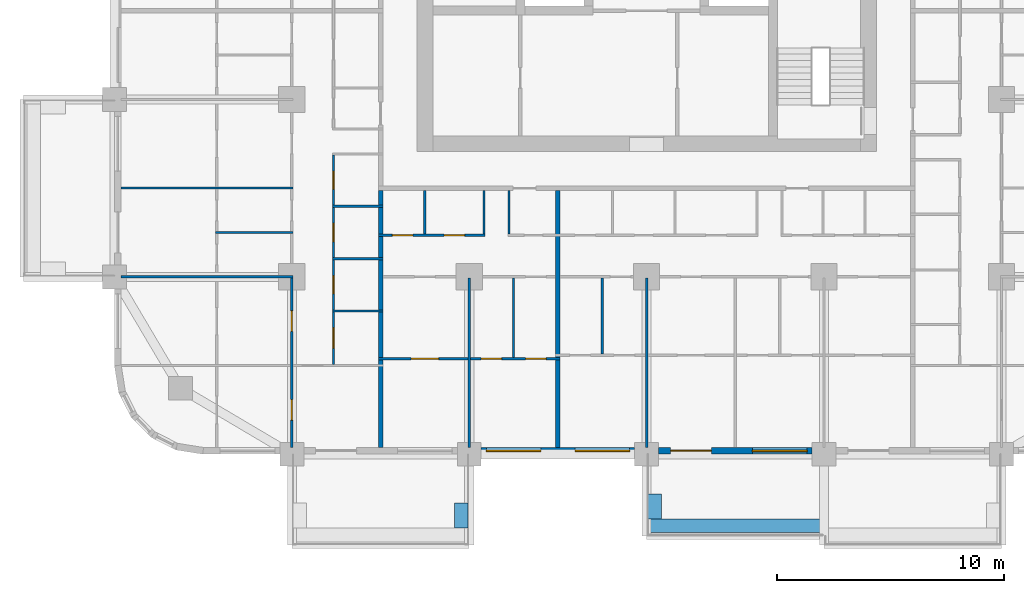
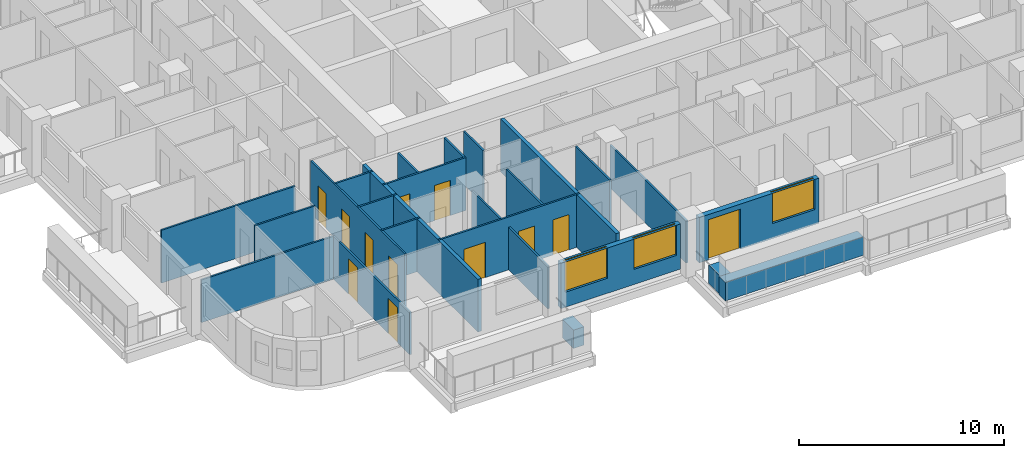
# One storey, part 3 of 18: 24 walls, 12 doors, 3 windows, 15 openings.
"""IFC4 building model written with IfcOpenShell, lengths in metres."""

from ifc_helpers import new_model, si_unit, direction, frame, frame_2d, origin, place, context, subcontext, project, spatial, rectangle, extrude, material, layer, layer_set, type_object, element, fill, save


model = new_model("IFC4")

# Units and contexts
model_context = context("Model", 3, precision=1e-05, world=origin(), true_north=direction((0.0, 1.0)))
body_context = subcontext(model_context, "Body", "Model", "MODEL_VIEW")
ifc_project = project(units=[si_unit("LENGTHUNIT", "METRE"), si_unit("AREAUNIT", "SQUARE_METRE"), si_unit("VOLUMEUNIT", "CUBIC_METRE"), si_unit("PLANEANGLEUNIT", "RADIAN"), si_unit("MASSUNIT", "GRAM", prefix="KILO")], contexts=[model_context])

# Site, building, storey
site_placement = place(None, origin())
site = spatial("IfcSite", under=ifc_project, at=site_placement, CompositionType="ELEMENT")
building_placement = place(site_placement, origin())
building = spatial("IfcBuilding", under=site, at=building_placement, Name="Ludao Terraces", CompositionType="ELEMENT")
storey_placement = place(building_placement, frame((0.0, 0.0, 33.10009765625)))
storey = spatial("IfcBuildingStorey", under=building, at=storey_placement, Name="L08", CompositionType="ELEMENT", Elevation=33.10009765625)

# Walls
ifc_material_1 = material(Name="Concrete C40", Category="concrete")
ifc_layer_1 = layer(ifc_material_1, 0.60009765625)
ifc_layer_set_1 = layer_set([ifc_layer_1], Name="ENV Planter trough 600")
wall_type_1 = type_object("IfcWallType", Name="ENV Planter trough 600", PredefinedType="USERDEFINED", material=ifc_layer_set_1)
wall_1_placement = place(storey_placement, frame((76.85009765625, 38.35009765625, 0.0), z_axis=(0.0, 0.0, 1.0), x_axis=(0.0, 1.0, 0.0)))
element("IfcWall", 1, at=wall_1_placement, inside=storey, type_object=wall_type_1, Name="PL-L08-S1-SB", ObjectType="PLANTER", PredefinedType="USERDEFINED", context=body_context, shape_type="SweptSolid", body=[
    extrude(rectangle(XDim=1.099853515625, YDim=0.60009765625, at=frame_2d((0.5498046875, 0.0))), origin(), (0.0, 0.0, 1.0), 1.099853515625),
])
wall_2_placement = place(storey_placement, frame((85.0, 38.449951171875, 0.0), z_axis=(0.0, 0.0, 1.0), x_axis=(1.0, 0.0, 0.0)))
element("IfcWall", 2, at=wall_2_placement, inside=storey, type_object=wall_type_1, Name="PL-L08-S3", ObjectType="PLANTER", PredefinedType="USERDEFINED", context=body_context, shape_type="SweptSolid", body=[
    extrude(rectangle(XDim=7.800048828125, YDim=0.60009765625, at=frame_2d((3.89990234375, 0.0))), origin(), (0.0, 0.0, 1.0), 1.099853515625),
])
wall_3_placement = place(storey_placement, frame((85.35009765625, 38.75, 0.0), z_axis=(0.0, 0.0, 1.0), x_axis=(0.0, 1.0, 0.0)))
element("IfcWall", 3, at=wall_3_placement, inside=storey, type_object=wall_type_1, Name="PL-L08-S3-SA", ObjectType="PLANTER", PredefinedType="USERDEFINED", context=body_context, shape_type="SweptSolid", body=[
    extrude(rectangle(XDim=1.10009765625, YDim=0.60009765625, at=frame_2d((0.550048828125, 0.0))), origin(), (0.0, 0.0, 1.0), 1.099853515625),
])

# Wall, openings, windows
ifc_material_2 = material(Name="Granite cladding", Category="masonry")
ifc_layer_2 = layer(ifc_material_2, 0.0400390625, Category="stone")
ifc_material_3 = material(Name="Mineral wool")
ifc_layer_3 = layer(ifc_material_3, 0.06005859375)
ifc_layer_4 = layer(ifc_material_1, 0.199951171875, Category="concrete")
ifc_layer_set_2 = layer_set([ifc_layer_2, ifc_layer_3, ifc_layer_4], Name="ENV Stone-clad wall 300")
wall_type_2 = type_object("IfcWallType", Name="ENV Stone-clad wall 300", PredefinedType="SOLIDWALL", material=ifc_layer_set_2)
wall_4_placement = place(storey_placement, frame((77.72509765625, 41.75, 0.0), z_axis=(0.0, 0.0, 1.0), x_axis=(1.0, 0.0, 0.0)))
wall_4 = element("IfcWall", 4, at=wall_4_placement, inside=storey, type_object=wall_type_2, Name="EW-L08-S3", PredefinedType="SOLIDWALL", context=body_context, shape_type="SweptSolid", body=[
    extrude(rectangle(XDim=6.75, YDim=0.300048828125, at=frame_2d((3.375, 0.0))), origin(), (0.0, 0.0, 1.0), 2.699951171875),
])
opening_1_placement = place(wall_4_placement, frame((0.22509765625, 0.0, 0.89990234375)))
opening_1 = element("IfcOpeningElement", 5, at=opening_1_placement, cuts=wall_4, Name="Opening W1", PredefinedType="OPENING", context=body_context, shape_type="SweptSolid", body=[
    extrude(rectangle(XDim=2.39990234375, YDim=1.800048828125, at=frame_2d((1.199951171875, 0.89990234375))), frame((0.0, 0.16015625, 0.0), z_axis=(0.0, -1.0, 0.0), x_axis=(1.0, 0.0, 0.0)), (0.0, 0.0, 1.0), 0.320068359375),
])
opening_2_placement = place(wall_4_placement, frame((4.125, 0.0, 0.89990234375)))
opening_2 = element("IfcOpeningElement", 6, at=opening_2_placement, cuts=wall_4, Name="Opening W1", PredefinedType="OPENING", context=body_context, shape_type="SweptSolid", body=[
    extrude(rectangle(XDim=2.39990234375, YDim=1.800048828125, at=frame_2d((1.199951171875, 0.89990234375))), frame((0.0, 0.16015625, 0.0), z_axis=(0.0, -1.0, 0.0), x_axis=(1.0, 0.0, 0.0)), (0.0, 0.0, 1.0), 0.320068359375),
])
ifc_material_4 = material(Name="Clear glass in aluminium frame", Category="aluminium")
ifc_layer_5 = layer(ifc_material_4, 0.06005859375)
ifc_layer_set_3 = layer_set([ifc_layer_5], Name="ENV Window W1 2400x1800")
window_type = type_object("IfcWindowType", Name="ENV Window W1 2400x1800", PartitioningType="DOUBLE_PANEL_VERTICAL", PredefinedType="WINDOW", material=ifc_layer_set_3)
window_1_placement = place(opening_1_placement, origin())
window_1 = element("IfcWindow", 7, at=window_1_placement, inside=storey, type_object=window_type, Name="W-L08-S3-1", OverallHeight=1.800048828125, OverallWidth=2.39990234375, PartitioningType="DOUBLE_PANEL_VERTICAL", PredefinedType="WINDOW", context=body_context, shape_type="SweptSolid", body=[
    extrude(rectangle(XDim=2.39990234375, YDim=1.800048828125, at=frame_2d((1.199951171875, 0.89990234375))), frame((0.0, 0.030029296875, 0.0), z_axis=(0.0, -1.0, 0.0), x_axis=(1.0, 0.0, 0.0)), (0.0, 0.0, 1.0), 0.06005859375),
])
fill(opening_1, window_1)
window_2_placement = place(opening_2_placement, origin())
window_2 = element("IfcWindow", 8, at=window_2_placement, inside=storey, type_object=window_type, Name="W-L08-S3-2", OverallHeight=1.800048828125, OverallWidth=2.39990234375, PartitioningType="DOUBLE_PANEL_VERTICAL", PredefinedType="WINDOW", context=body_context, shape_type="SweptSolid", body=[
    extrude(rectangle(XDim=2.39990234375, YDim=1.800048828125, at=frame_2d((1.199951171875, 0.89990234375))), frame((0.0, 0.030029296875, 0.0), z_axis=(0.0, -1.0, 0.0), x_axis=(1.0, 0.0, 0.0)), (0.0, 0.0, 1.0), 0.06005859375),
])
fill(opening_2, window_2)

# Wall, openings, door, window
wall_5_placement = place(storey_placement, frame((85.52490234375, 41.75, 0.0), z_axis=(0.0, 0.0, 1.0), x_axis=(1.0, 0.0, 0.0)))
wall_5 = element("IfcWall", 9, at=wall_5_placement, inside=storey, type_object=wall_type_2, Name="EW-L08-S4", PredefinedType="SOLIDWALL", context=body_context, shape_type="SweptSolid", body=[
    extrude(rectangle(XDim=6.75, YDim=0.300048828125, at=frame_2d((3.375, 0.0))), origin(), (0.0, 0.0, 1.0), 2.699951171875),
])
opening_3_placement = place(wall_5_placement, frame((0.52490234375, 0.0, 0.0)))
opening_3 = element("IfcOpeningElement", 10, at=opening_3_placement, cuts=wall_5, Name="Opening BD", PredefinedType="OPENING", context=body_context, shape_type="SweptSolid", body=[
    extrude(rectangle(XDim=1.800048828125, YDim=2.39990234375, at=frame_2d((0.89990234375, 1.199951171875))), frame((0.0, 0.16015625, 0.0), z_axis=(0.0, -1.0, 0.0), x_axis=(1.0, 0.0, 0.0)), (0.0, 0.0, 1.0), 0.320068359375),
])
opening_4_placement = place(wall_5_placement, frame((4.125, 0.0, 0.89990234375)))
opening_4 = element("IfcOpeningElement", 11, at=opening_4_placement, cuts=wall_5, Name="Opening W1", PredefinedType="OPENING", context=body_context, shape_type="SweptSolid", body=[
    extrude(rectangle(XDim=2.39990234375, YDim=1.800048828125, at=frame_2d((1.199951171875, 0.89990234375))), frame((0.0, 0.16015625, 0.0), z_axis=(0.0, -1.0, 0.0), x_axis=(1.0, 0.0, 0.0)), (0.0, 0.0, 1.0), 0.320068359375),
])
ifc_material_5 = material(Name="Aluminium glazed door", Category="aluminium")
ifc_layer_6 = layer(ifc_material_5, 0.06005859375)
ifc_layer_set_4 = layer_set([ifc_layer_6], Name="ENV Balcony door BD 1800x2400")
door_type_1 = type_object("IfcDoorType", Name="ENV Balcony door BD 1800x2400", OperationType="DOUBLE_DOOR_SINGLE_SWING", PredefinedType="DOOR", material=ifc_layer_set_4)
door_1_placement = place(opening_3_placement, origin())
door_1 = element("IfcDoor", 12, at=door_1_placement, inside=storey, type_object=door_type_1, Name="BD-L08-S4-1", OperationType="DOUBLE_DOOR_SINGLE_SWING", OverallHeight=2.39990234375, OverallWidth=1.800048828125, PredefinedType="DOOR", context=body_context, shape_type="SweptSolid", body=[
    extrude(rectangle(XDim=1.800048828125, YDim=2.39990234375, at=frame_2d((0.89990234375, 1.199951171875))), frame((0.0, 0.02490234375, 0.0), z_axis=(0.0, -1.0, 0.0), x_axis=(1.0, 0.0, 0.0)), (0.0, 0.0, 1.0), 0.050048828125),
])
fill(opening_3, door_1)
window_3_placement = place(opening_4_placement, origin())
window_3 = element("IfcWindow", 13, at=window_3_placement, inside=storey, type_object=window_type, Name="W-L08-S4-2", OverallHeight=1.800048828125, OverallWidth=2.39990234375, PartitioningType="DOUBLE_PANEL_VERTICAL", PredefinedType="WINDOW", context=body_context, shape_type="SweptSolid", body=[
    extrude(rectangle(XDim=2.39990234375, YDim=1.800048828125, at=frame_2d((1.199951171875, 0.89990234375))), frame((0.0, 0.030029296875, 0.0), z_axis=(0.0, -1.0, 0.0), x_axis=(1.0, 0.0, 0.0)), (0.0, 0.0, 1.0), 0.06005859375),
])
fill(opening_4, window_3)

# Wall, openings, doors
ifc_material_6 = material(Name="Gypsum plasterboard", Category="gypsum")
ifc_layer_7 = layer(ifc_material_6, 0.012451171875, Category="gypsum")
ifc_layer_8 = layer(ifc_material_3, 0.06005859375, Name="insulation")
ifc_material_7 = material(Name="Steel Q235", Category="steel")
ifc_layer_9 = layer(ifc_material_7, 0.014892578125, Name="stud")
ifc_layer_10 = layer(ifc_material_6, 0.012451171875, Category="gypsum")
ifc_layer_set_5 = layer_set([ifc_layer_7, ifc_layer_8, ifc_layer_9, ifc_layer_10], Name="INT Partition 100")
wall_type_3 = type_object("IfcWallType", Name="INT Partition 100", PredefinedType="PARTITIONING", material=ifc_layer_set_5)
wall_6_placement = place(storey_placement, frame((73.2001953125, 45.800048828125, 0.0), z_axis=(0.0, 0.0, 1.0), x_axis=(1.0, 0.0, 0.0)))
wall_6 = element("IfcWall", 14, at=wall_6_placement, inside=storey, type_object=wall_type_3, Name="PW-L08-PW002", PredefinedType="PARTITIONING", context=body_context, shape_type="SweptSolid", body=[
    extrude(rectangle(XDim=8.0, YDim=0.10009765625, at=frame_2d((4.0, 0.0))), origin(), (0.0, 0.0, 1.0), 3.14990234375),
])
opening_5_placement = place(wall_6_placement, frame((1.449951171875, 0.0, 0.0)))
opening_5 = element("IfcOpeningElement", 15, at=opening_5_placement, cuts=wall_6, Name="Opening R02-007", PredefinedType="OPENING", context=body_context, shape_type="SweptSolid", body=[
    extrude(rectangle(XDim=1.199951171875, YDim=2.10009765625, at=frame_2d((0.60009765625, 1.050048828125))), frame((0.0, 0.06005859375, 0.0), z_axis=(0.0, -1.0, 0.0), x_axis=(1.0, 0.0, 0.0)), (0.0, 0.0, 1.0), 0.1201171875),
])
opening_6_placement = place(wall_6_placement, frame((4.52490234375, 0.0, 0.0)))
opening_6 = element("IfcOpeningElement", 16, at=opening_6_placement, cuts=wall_6, Name="Opening R02-008", PredefinedType="OPENING", context=body_context, shape_type="SweptSolid", body=[
    extrude(rectangle(XDim=0.89990234375, YDim=2.10009765625, at=frame_2d((0.449951171875, 1.050048828125))), frame((0.0, 0.06005859375, 0.0), z_axis=(0.0, -1.0, 0.0), x_axis=(1.0, 0.0, 0.0)), (0.0, 0.0, 1.0), 0.1201171875),
])
opening_7_placement = place(wall_6_placement, frame((6.474853515625, 0.0, 0.0)))
opening_7 = element("IfcOpeningElement", 17, at=opening_7_placement, cuts=wall_6, Name="Opening R02-009", PredefinedType="OPENING", context=body_context, shape_type="SweptSolid", body=[
    extrude(rectangle(XDim=0.89990234375, YDim=2.10009765625, at=frame_2d((0.449951171875, 1.050048828125))), frame((0.0, 0.06005859375, 0.0), z_axis=(0.0, -1.0, 0.0), x_axis=(1.0, 0.0, 0.0)), (0.0, 0.0, 1.0), 0.1201171875),
])
ifc_material_8 = material(Name="Timber door leaf", Category="wood")
door_type_2 = type_object("IfcDoorType", Name="INT Bathroom door 900", OperationType="SINGLE_SWING_LEFT", PredefinedType="DOOR", material=ifc_material_8)
door_2_placement = place(opening_6_placement, origin())
door_2 = element("IfcDoor", 18, at=door_2_placement, inside=storey, type_object=door_type_2, Name="DOOR 008", OperationType="SINGLE_SWING_LEFT", OverallHeight=2.10009765625, OverallWidth=0.89990234375, PredefinedType="DOOR", context=body_context, shape_type="SweptSolid", body=[
    extrude(rectangle(XDim=0.89990234375, YDim=2.10009765625, at=frame_2d((0.449951171875, 1.050048828125))), frame((0.0, 0.02490234375, 0.0), z_axis=(0.0, -1.0, 0.0), x_axis=(1.0, 0.0, 0.0)), (0.0, 0.0, 1.0), 0.050048828125),
])
fill(opening_6, door_2)
door_type_3 = type_object("IfcDoorType", Name="INT Double door 1200", OperationType="DOUBLE_DOOR_SINGLE_SWING", PredefinedType="DOOR", material=ifc_material_8)
door_3_placement = place(opening_5_placement, origin())
door_3 = element("IfcDoor", 19, at=door_3_placement, inside=storey, type_object=door_type_3, Name="DOOR 007", OperationType="DOUBLE_DOOR_SINGLE_SWING", OverallHeight=2.10009765625, OverallWidth=1.199951171875, PredefinedType="DOOR", context=body_context, shape_type="SweptSolid", body=[
    extrude(rectangle(XDim=1.199951171875, YDim=2.10009765625, at=frame_2d((0.60009765625, 1.050048828125))), frame((0.0, 0.02490234375, 0.0), z_axis=(0.0, -1.0, 0.0), x_axis=(1.0, 0.0, 0.0)), (0.0, 0.0, 1.0), 0.050048828125),
])
fill(opening_5, door_3)
door_type_4 = type_object("IfcDoorType", Name="INT Room door 900", OperationType="SINGLE_SWING_LEFT", PredefinedType="DOOR", material=ifc_material_8)
door_4_placement = place(opening_7_placement, origin())
door_4 = element("IfcDoor", 20, at=door_4_placement, inside=storey, type_object=door_type_4, Name="DOOR 009", OperationType="SINGLE_SWING_LEFT", OverallHeight=2.10009765625, OverallWidth=0.89990234375, PredefinedType="DOOR", context=body_context, shape_type="SweptSolid", body=[
    extrude(rectangle(XDim=0.89990234375, YDim=2.10009765625, at=frame_2d((0.449951171875, 1.050048828125))), frame((0.0, 0.02490234375, 0.0), z_axis=(0.0, -1.0, 0.0), x_axis=(1.0, 0.0, 0.0)), (0.0, 0.0, 1.0), 0.050048828125),
])
fill(opening_7, door_4)

# Walls
wall_7_placement = place(storey_placement, frame((71.18017578125, 47.89990234375, 0.0), z_axis=(0.0, 0.0, 1.0), x_axis=(1.0, 0.0, 0.0)))
element("IfcWall", 21, at=wall_7_placement, inside=storey, type_object=wall_type_3, Name="PW-L08-PW005", PredefinedType="PARTITIONING", context=body_context, shape_type="SweptSolid", body=[
    extrude(rectangle(XDim=2.219970703125, YDim=0.10009765625, at=frame_2d((1.10986328125, 0.0))), origin(), (0.0, 0.0, 1.0), 3.14990234375),
])
wall_8_placement = place(storey_placement, frame((61.900146484375, 49.39990234375, 0.0), z_axis=(0.0, 0.0, 1.0), x_axis=(1.0, 0.0, 0.0)))
element("IfcWall", 22, at=wall_8_placement, inside=storey, type_object=wall_type_3, Name="PW-L08-PW006", PredefinedType="PARTITIONING", context=body_context, shape_type="SweptSolid", body=[
    extrude(rectangle(XDim=7.550048828125, YDim=0.10009765625, at=frame_2d((3.77490234375, 0.0))), origin(), (0.0, 0.0, 1.0), 2.5498046875),
])
wall_9_placement = place(storey_placement, frame((71.18017578125, 50.199951171875, 0.0), z_axis=(0.0, 0.0, 1.0), x_axis=(1.0, 0.0, 0.0)))
element("IfcWall", 23, at=wall_9_placement, inside=storey, type_object=wall_type_3, Name="PW-L08-PW010", PredefinedType="PARTITIONING", context=body_context, shape_type="SweptSolid", body=[
    extrude(rectangle(XDim=2.219970703125, YDim=0.10009765625, at=frame_2d((1.10986328125, 0.0))), origin(), (0.0, 0.0, 1.0), 3.14990234375),
])

# Wall, openings, doors
wall_10_placement = place(storey_placement, frame((73.2001953125, 51.22998046875, 0.0), z_axis=(0.0, 0.0, 1.0), x_axis=(1.0, 0.0, 0.0)))
wall_10 = element("IfcWall", 24, at=wall_10_placement, inside=storey, type_object=wall_type_3, Name="PW-L08-PW011", PredefinedType="PARTITIONING", context=body_context, shape_type="SweptSolid", body=[
    extrude(rectangle(XDim=4.699951171875, YDim=0.10009765625, at=frame_2d((2.35009765625, 0.0))), origin(), (0.0, 0.0, 1.0), 3.14990234375),
])
opening_8_placement = place(wall_10_placement, frame((0.625, 0.0, 0.0)))
opening_8 = element("IfcOpeningElement", 25, at=opening_8_placement, cuts=wall_10, Name="Opening R02-033", PredefinedType="OPENING", context=body_context, shape_type="SweptSolid", body=[
    extrude(rectangle(XDim=0.89990234375, YDim=2.10009765625, at=frame_2d((0.449951171875, 1.050048828125))), frame((0.0, 0.06005859375, 0.0), z_axis=(0.0, -1.0, 0.0), x_axis=(1.0, 0.0, 0.0)), (0.0, 0.0, 1.0), 0.1201171875),
])
opening_9_placement = place(wall_10_placement, frame((2.89990234375, 0.0, 0.0)))
opening_9 = element("IfcOpeningElement", 26, at=opening_9_placement, cuts=wall_10, Name="Opening R02-034", PredefinedType="OPENING", context=body_context, shape_type="SweptSolid", body=[
    extrude(rectangle(XDim=0.89990234375, YDim=2.10009765625, at=frame_2d((0.449951171875, 1.050048828125))), frame((0.0, 0.06005859375, 0.0), z_axis=(0.0, -1.0, 0.0), x_axis=(1.0, 0.0, 0.0)), (0.0, 0.0, 1.0), 0.1201171875),
])
door_5_placement = place(opening_8_placement, origin())
door_5 = element("IfcDoor", 27, at=door_5_placement, inside=storey, type_object=door_type_2, Name="DOOR 033", OperationType="SINGLE_SWING_LEFT", OverallHeight=2.10009765625, OverallWidth=0.89990234375, PredefinedType="DOOR", context=body_context, shape_type="SweptSolid", body=[
    extrude(rectangle(XDim=0.89990234375, YDim=2.10009765625, at=frame_2d((0.449951171875, 1.050048828125))), frame((0.0, 0.02490234375, 0.0), z_axis=(0.0, -1.0, 0.0), x_axis=(1.0, 0.0, 0.0)), (0.0, 0.0, 1.0), 0.050048828125),
])
fill(opening_8, door_5)
door_6_placement = place(opening_9_placement, origin())
door_6 = element("IfcDoor", 28, at=door_6_placement, inside=storey, type_object=door_type_4, Name="DOOR 034", OperationType="SINGLE_SWING_RIGHT", OverallHeight=2.10009765625, OverallWidth=0.89990234375, PredefinedType="DOOR", context=body_context, shape_type="SweptSolid", body=[
    extrude(rectangle(XDim=0.89990234375, YDim=2.10009765625, at=frame_2d((0.449951171875, 1.050048828125))), frame((0.0, 0.02490234375, 0.0), z_axis=(0.0, -1.0, 0.0), x_axis=(1.0, 0.0, 0.0)), (0.0, 0.0, 1.0), 0.050048828125),
])
fill(opening_9, door_6)

# Walls
wall_11_placement = place(storey_placement, frame((66.050048828125, 51.35009765625, 0.0), z_axis=(0.0, 0.0, 1.0), x_axis=(1.0, 0.0, 0.0)))
element("IfcWall", 29, at=wall_11_placement, inside=storey, type_object=wall_type_3, Name="PW-L08-PW014", PredefinedType="PARTITIONING", context=body_context, shape_type="SweptSolid", body=[
    extrude(rectangle(XDim=3.400146484375, YDim=0.10009765625, at=frame_2d((1.7001953125, 0.0))), origin(), (0.0, 0.0, 1.0), 3.14990234375),
])
wall_12_placement = place(storey_placement, frame((71.18017578125, 52.5, 0.0), z_axis=(0.0, 0.0, 1.0), x_axis=(1.0, 0.0, 0.0)))
element("IfcWall", 30, at=wall_12_placement, inside=storey, type_object=wall_type_3, Name="PW-L08-PW017", PredefinedType="PARTITIONING", context=body_context, shape_type="SweptSolid", body=[
    extrude(rectangle(XDim=2.219970703125, YDim=0.10009765625, at=frame_2d((1.10986328125, 0.0))), origin(), (0.0, 0.0, 1.0), 3.14990234375),
])
wall_13_placement = place(storey_placement, frame((61.900146484375, 53.300048828125, 0.0), z_axis=(0.0, 0.0, 1.0), x_axis=(1.0, 0.0, 0.0)))
element("IfcWall", 31, at=wall_13_placement, inside=storey, type_object=wall_type_3, Name="PW-L08-PW018", PredefinedType="PARTITIONING", context=body_context, shape_type="SweptSolid", body=[
    extrude(rectangle(XDim=7.550048828125, YDim=0.10009765625, at=frame_2d((3.77490234375, 0.0))), origin(), (0.0, 0.0, 1.0), 3.14990234375),
])

# Wall, openings, doors
wall_14_placement = place(storey_placement, frame((69.39990234375, 41.900146484375, 0.0), z_axis=(0.0, 0.0, 1.0), x_axis=(0.0, 1.0, 0.0)))
wall_14 = element("IfcWall", 32, at=wall_14_placement, inside=storey, type_object=wall_type_3, Name="PW-L08-PW083", PredefinedType="PARTITIONING", context=body_context, shape_type="SweptSolid", body=[
    extrude(rectangle(XDim=7.499755859375, YDim=0.10009765625, at=frame_2d((3.75, 0.0))), origin(), (0.0, 0.0, 1.0), 2.5498046875),
])
opening_10_placement = place(wall_14_placement, frame((1.199951171875, 0.0, 0.0)))
opening_10 = element("IfcOpeningElement", 33, at=opening_10_placement, cuts=wall_14, Name="Opening R02-002", PredefinedType="OPENING", context=body_context, shape_type="SweptSolid", body=[
    extrude(rectangle(XDim=0.89990234375, YDim=2.10009765625, at=frame_2d((0.449951171875, 1.050048828125))), frame((0.0, 0.06005859375, 0.0), z_axis=(0.0, -1.0, 0.0), x_axis=(1.0, 0.0, 0.0)), (0.0, 0.0, 1.0), 0.1201171875),
])
opening_11_placement = place(wall_14_placement, frame((5.10009765625, 0.0, 0.0)))
opening_11 = element("IfcOpeningElement", 34, at=opening_11_placement, cuts=wall_14, Name="Opening R02-019", PredefinedType="OPENING", context=body_context, shape_type="SweptSolid", body=[
    extrude(rectangle(XDim=0.89990234375, YDim=2.10009765625, at=frame_2d((0.449951171875, 1.050048828125))), frame((0.0, 0.06005859375, 0.0), z_axis=(0.0, -1.0, 0.0), x_axis=(1.0, 0.0, 0.0)), (0.0, 0.0, 1.0), 0.1201171875),
])
door_7_placement = place(opening_10_placement, origin())
door_7 = element("IfcDoor", 35, at=door_7_placement, inside=storey, type_object=door_type_4, Name="DOOR 002", OperationType="SINGLE_SWING_LEFT", OverallHeight=2.10009765625, OverallWidth=0.89990234375, PredefinedType="DOOR", context=body_context, shape_type="SweptSolid", body=[
    extrude(rectangle(XDim=0.89990234375, YDim=2.10009765625, at=frame_2d((0.449951171875, 1.050048828125))), frame((0.0, 0.02490234375, 0.0), z_axis=(0.0, -1.0, 0.0), x_axis=(1.0, 0.0, 0.0)), (0.0, 0.0, 1.0), 0.050048828125),
])
fill(opening_10, door_7)
door_8_placement = place(opening_11_placement, origin())
door_8 = element("IfcDoor", 36, at=door_8_placement, inside=storey, type_object=door_type_4, Name="DOOR 019", OperationType="SINGLE_SWING_LEFT", OverallHeight=2.10009765625, OverallWidth=0.89990234375, PredefinedType="DOOR", context=body_context, shape_type="SweptSolid", body=[
    extrude(rectangle(XDim=0.89990234375, YDim=2.10009765625, at=frame_2d((0.449951171875, 1.050048828125))), frame((0.0, 0.02490234375, 0.0), z_axis=(0.0, -1.0, 0.0), x_axis=(1.0, 0.0, 0.0)), (0.0, 0.0, 1.0), 0.050048828125),
])
fill(opening_11, door_8)

wall_15_placement = place(storey_placement, frame((71.22998046875, 45.550048828125, 0.0), z_axis=(0.0, 0.0, 1.0), x_axis=(0.0, 1.0, 0.0)))
wall_15 = element("IfcWall", 37, at=wall_15_placement, inside=storey, type_object=wall_type_3, Name="PW-L08-PW084", PredefinedType="PARTITIONING", context=body_context, shape_type="SweptSolid", body=[
    extrude(rectangle(XDim=9.199951171875, YDim=0.10009765625, at=frame_2d((4.60009765625, 0.0))), origin(), (0.0, 0.0, 1.0), 3.14990234375),
])
opening_12_placement = place(wall_15_placement, frame((0.699951171875, 0.0, 0.0)))
opening_12 = element("IfcOpeningElement", 38, at=opening_12_placement, cuts=wall_15, Name="Opening R02-017", PredefinedType="OPENING", context=body_context, shape_type="SweptSolid", body=[
    extrude(rectangle(XDim=0.89990234375, YDim=2.10009765625, at=frame_2d((0.449951171875, 1.050048828125))), frame((0.0, 0.06005859375, 0.0), z_axis=(0.0, -1.0, 0.0), x_axis=(1.0, 0.0, 0.0)), (0.0, 0.0, 1.0), 0.1201171875),
])
opening_13_placement = place(wall_15_placement, frame((3.10009765625, 0.0, 0.0)))
opening_13 = element("IfcOpeningElement", 39, at=opening_13_placement, cuts=wall_15, Name="Opening R02-023", PredefinedType="OPENING", context=body_context, shape_type="SweptSolid", body=[
    extrude(rectangle(XDim=0.800048828125, YDim=2.10009765625, at=frame_2d((0.39990234375, 1.050048828125))), frame((0.0, 0.06005859375, 0.0), z_axis=(0.0, -1.0, 0.0), x_axis=(1.0, 0.0, 0.0)), (0.0, 0.0, 1.0), 0.1201171875),
])
opening_14_placement = place(wall_15_placement, frame((5.39990234375, 0.0, 0.0)))
opening_14 = element("IfcOpeningElement", 40, at=opening_14_placement, cuts=wall_15, Name="Opening R02-042", PredefinedType="OPENING", context=body_context, shape_type="SweptSolid", body=[
    extrude(rectangle(XDim=0.800048828125, YDim=2.10009765625, at=frame_2d((0.39990234375, 1.050048828125))), frame((0.0, 0.06005859375, 0.0), z_axis=(0.0, -1.0, 0.0), x_axis=(1.0, 0.0, 0.0)), (0.0, 0.0, 1.0), 0.1201171875),
])
opening_15_placement = place(wall_15_placement, frame((7.699951171875, 0.0, 0.0)))
opening_15 = element("IfcOpeningElement", 41, at=opening_15_placement, cuts=wall_15, Name="Opening R02-050", PredefinedType="OPENING", context=body_context, shape_type="SweptSolid", body=[
    extrude(rectangle(XDim=0.800048828125, YDim=2.10009765625, at=frame_2d((0.39990234375, 1.050048828125))), frame((0.0, 0.06005859375, 0.0), z_axis=(0.0, -1.0, 0.0), x_axis=(1.0, 0.0, 0.0)), (0.0, 0.0, 1.0), 0.1201171875),
])
door_9_placement = place(opening_12_placement, origin())
door_9 = element("IfcDoor", 42, at=door_9_placement, inside=storey, type_object=door_type_2, Name="DOOR 017", OperationType="SINGLE_SWING_LEFT", OverallHeight=2.10009765625, OverallWidth=0.89990234375, PredefinedType="DOOR", context=body_context, shape_type="SweptSolid", body=[
    extrude(rectangle(XDim=0.89990234375, YDim=2.10009765625, at=frame_2d((0.449951171875, 1.050048828125))), frame((0.0, 0.02490234375, 0.0), z_axis=(0.0, -1.0, 0.0), x_axis=(1.0, 0.0, 0.0)), (0.0, 0.0, 1.0), 0.050048828125),
])
fill(opening_12, door_9)
door_type_5 = type_object("IfcDoorType", Name="INT Store door 800", OperationType="SINGLE_SWING_LEFT", PredefinedType="DOOR", material=ifc_material_8)
door_10_placement = place(opening_13_placement, origin())
door_10 = element("IfcDoor", 43, at=door_10_placement, inside=storey, type_object=door_type_5, Name="DOOR 023", OperationType="SINGLE_SWING_RIGHT", OverallHeight=2.10009765625, OverallWidth=0.800048828125, PredefinedType="DOOR", context=body_context, shape_type="SweptSolid", body=[
    extrude(rectangle(XDim=0.800048828125, YDim=2.10009765625, at=frame_2d((0.39990234375, 1.050048828125))), frame((0.0, 0.02490234375, 0.0), z_axis=(0.0, -1.0, 0.0), x_axis=(1.0, 0.0, 0.0)), (0.0, 0.0, 1.0), 0.050048828125),
])
fill(opening_13, door_10)
door_11_placement = place(opening_14_placement, origin())
door_11 = element("IfcDoor", 44, at=door_11_placement, inside=storey, type_object=door_type_5, Name="DOOR 042", OperationType="SINGLE_SWING_LEFT", OverallHeight=2.10009765625, OverallWidth=0.800048828125, PredefinedType="DOOR", context=body_context, shape_type="SweptSolid", body=[
    extrude(rectangle(XDim=0.800048828125, YDim=2.10009765625, at=frame_2d((0.39990234375, 1.050048828125))), frame((0.0, 0.02490234375, 0.0), z_axis=(0.0, -1.0, 0.0), x_axis=(1.0, 0.0, 0.0)), (0.0, 0.0, 1.0), 0.050048828125),
])
fill(opening_14, door_11)
door_12_placement = place(opening_15_placement, origin())
door_12 = element("IfcDoor", 45, at=door_12_placement, inside=storey, type_object=door_type_5, Name="DOOR 050", OperationType="SINGLE_SWING_RIGHT", OverallHeight=2.10009765625, OverallWidth=0.800048828125, PredefinedType="DOOR", context=body_context, shape_type="SweptSolid", body=[
    extrude(rectangle(XDim=0.800048828125, YDim=2.10009765625, at=frame_2d((0.39990234375, 1.050048828125))), frame((0.0, 0.02490234375, 0.0), z_axis=(0.0, -1.0, 0.0), x_axis=(1.0, 0.0, 0.0)), (0.0, 0.0, 1.0), 0.050048828125),
])
fill(opening_15, door_12)

# Walls
wall_16_placement = place(storey_placement, frame((75.25, 51.280029296875, 0.0), z_axis=(0.0, 0.0, 1.0), x_axis=(0.0, 1.0, 0.0)))
element("IfcWall", 46, at=wall_16_placement, inside=storey, type_object=wall_type_3, Name="PW-L08-PW091", PredefinedType="PARTITIONING", context=body_context, shape_type="SweptSolid", body=[
    extrude(rectangle(XDim=1.920166015625, YDim=0.10009765625, at=frame_2d((0.9599609375, 0.0))), origin(), (0.0, 0.0, 1.0), 3.14990234375),
])
wall_17_placement = place(storey_placement, frame((77.199951171875, 41.900146484375, 0.0), z_axis=(0.0, 0.0, 1.0), x_axis=(0.0, 1.0, 0.0)))
element("IfcWall", 47, at=wall_17_placement, inside=storey, type_object=wall_type_3, Name="PW-L08-PW092", PredefinedType="PARTITIONING", context=body_context, shape_type="SweptSolid", body=[
    extrude(rectangle(XDim=7.449951171875, YDim=0.10009765625, at=frame_2d((3.72509765625, 0.0))), origin(), (0.0, 0.0, 1.0), 2.5498046875),
])
for number, where, z_axis, x_axis, name in (
    (48, (77.85009765625, 51.280029296875, 0.0), (0.0, 0.0, 1.0), (0.0, 1.0, 0.0), "PW-L08-PW094"),
    (49, (78.949951171875, 51.280029296875, 0.0), (0.0, 0.0, 1.0), (0.0, 1.0, 0.0), "PW-L08-PW095"),
):
    element("IfcWall", number, at=place(storey_placement, frame(where, z_axis=z_axis, x_axis=x_axis)), inside=storey, type_object=wall_type_3, Name=name, PredefinedType="PARTITIONING", context=body_context, shape_type="SweptSolid", body=[
        extrude(rectangle(XDim=1.920166015625, YDim=0.10009765625, at=frame_2d((0.9599609375, 0.0))), origin(), (0.0, 0.0, 1.0), 3.14990234375),
    ])
wall_18_placement = place(storey_placement, frame((79.14990234375, 45.85009765625, 0.0), z_axis=(0.0, 0.0, 1.0), x_axis=(0.0, 1.0, 0.0)))
element("IfcWall", 50, at=wall_18_placement, inside=storey, type_object=wall_type_3, Name="PW-L08-PW096", PredefinedType="PARTITIONING", context=body_context, shape_type="SweptSolid", body=[
    extrude(rectangle(XDim=3.5, YDim=0.10009765625, at=frame_2d((1.75, 0.0))), origin(), (0.0, 0.0, 1.0), 3.14990234375),
])
wall_19_placement = place(storey_placement, frame((83.050048828125, 46.0, 0.0), z_axis=(0.0, 0.0, 1.0), x_axis=(0.0, 1.0, 0.0)))
element("IfcWall", 51, at=wall_19_placement, inside=storey, type_object=wall_type_3, Name="PW-L08-PW100", PredefinedType="PARTITIONING", context=body_context, shape_type="SweptSolid", body=[
    extrude(rectangle(XDim=3.35009765625, YDim=0.10009765625, at=frame_2d((1.675048828125, 0.0))), origin(), (0.0, 0.0, 1.0), 3.14990234375),
])
wall_20_placement = place(storey_placement, frame((85.0, 41.900146484375, 0.0), z_axis=(0.0, 0.0, 1.0), x_axis=(0.0, 1.0, 0.0)))
element("IfcWall", 52, at=wall_20_placement, inside=storey, type_object=wall_type_3, Name="PW-L08-PW102", PredefinedType="PARTITIONING", context=body_context, shape_type="SweptSolid", body=[
    extrude(rectangle(XDim=7.449951171875, YDim=0.10009765625, at=frame_2d((3.72509765625, 0.0))), origin(), (0.0, 0.0, 1.0), 2.5498046875),
])
ifc_material_9 = material(Name="Autoclaved aerated concrete block B06 A3.5", Category="concrete")
ifc_layer_11 = layer(ifc_material_9, 0.199951171875)
ifc_layer_set_6 = layer_set([ifc_layer_11], Name="INT Party wall 200")
wall_type_4 = type_object("IfcWallType", Name="INT Party wall 200", PredefinedType="PARTITIONING", material=ifc_layer_set_6)
for number, where, z_axis, x_axis, name in (
    (53, (73.300048828125, 41.900146484375, 0.0), (0.0, 0.0, 1.0), (0.0, 1.0, 0.0), "PW-L08-PW088"),
    (54, (81.10009765625, 41.900146484375, 0.0), (0.0, 0.0, 1.0), (0.0, 1.0, 0.0), "PW-L08-PW098"),
):
    element("IfcWall", number, at=place(storey_placement, frame(where, z_axis=z_axis, x_axis=x_axis)), inside=storey, type_object=wall_type_4, Name=name, PredefinedType="PARTITIONING", context=body_context, shape_type="SweptSolid", body=[
        extrude(rectangle(XDim=11.300048828125, YDim=0.199951171875, at=frame_2d((5.64990234375, 0.0))), origin(), (0.0, 0.0, 1.0), 3.14990234375),
    ])

save(model, "model.ifc")
